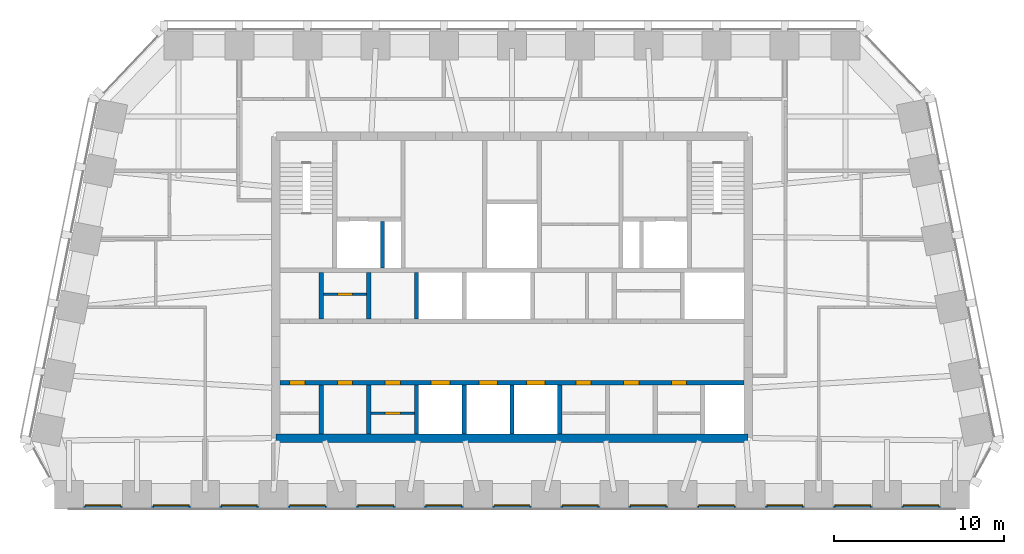
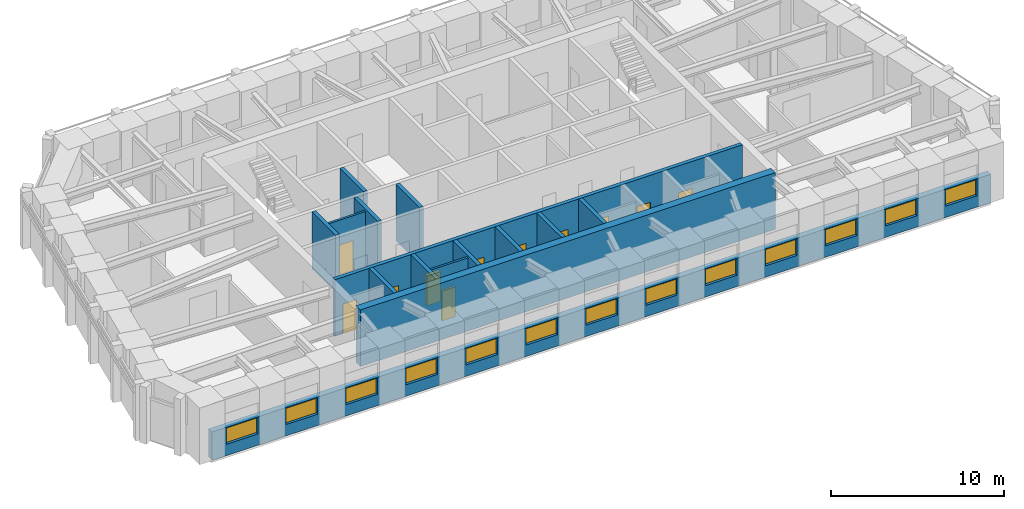
# One storey, part 4 of 8: 15 walls, 13 windows, 11 doors, 24 openings.
"""IFC4 building model written with IfcOpenShell, lengths in metres."""

from ifc_helpers import new_model, si_unit, direction, frame, frame_2d, origin, place, context, subcontext, project, spatial, rectangle, extrude, material, layer, layer_set, type_object, element, fill, save


model = new_model("IFC4")

# Units and contexts
model_context = context("Model", 3, precision=1e-05, world=origin(), true_north=direction((0.0, 1.0)))
body_context = subcontext(model_context, "Body", "Model", "MODEL_VIEW")
ifc_project = project(units=[si_unit("LENGTHUNIT", "METRE"), si_unit("AREAUNIT", "SQUARE_METRE"), si_unit("VOLUMEUNIT", "CUBIC_METRE"), si_unit("PLANEANGLEUNIT", "RADIAN"), si_unit("MASSUNIT", "GRAM", prefix="KILO")], contexts=[model_context])

# Site, building, storey
site_placement = place(None, origin())
site = spatial("IfcSite", under=ifc_project, at=site_placement, CompositionType="ELEMENT")
building_placement = place(site_placement, origin())
building = spatial("IfcBuilding", under=site, at=building_placement, Name="Isbrekke Arena Tower", CompositionType="ELEMENT")
storey_placement = place(building_placement, frame((0.0, 0.0, 320.0)))
storey = spatial("IfcBuildingStorey", under=building, at=storey_placement, Name="L75", CompositionType="ELEMENT", Elevation=320.0)

# Wall
ifc_material_1 = material(Name="Concrete B55 (C55/67)", Category="concrete")
ifc_layer_1 = layer(ifc_material_1, 0.5)
ifc_layer_set_1 = layer_set([ifc_layer_1], Name="CW5 CORE WALL 500")
wall_type_1 = type_object("IfcWallType", Name="CW5 CORE WALL 500", PredefinedType="SHEAR", material=ifc_layer_set_1)
wall_1_placement = place(storey_placement, frame((-13.85009765625, 6.14990234375, 0.0), z_axis=(0.0, 0.0, 1.0), x_axis=(1.0, 0.0, 0.0)))
element("IfcWall", 1, at=wall_1_placement, inside=storey, type_object=wall_type_1, Name="Core wall S L75", PredefinedType="SHEAR", context=body_context, shape_type="SweptSolid", body=[
    extrude(rectangle(XDim=27.7001953125, YDim=0.5, at=frame_2d((13.85009765625, 0.0))), origin(), (0.0, 0.0, 1.0), 4.0),
])

# Wall, openings, doors
ifc_material_2 = material(Name="Concrete B45 (C45/55)", Category="concrete")
ifc_layer_2 = layer(ifc_material_2, 0.25)
ifc_layer_set_2 = layer_set([ifc_layer_2], Name="CW6 SHAFT WALL 250")
wall_type_2 = type_object("IfcWallType", Name="CW6 SHAFT WALL 250", PredefinedType="SHEAR", material=ifc_layer_set_2)
wall_2_placement = place(storey_placement, frame((-13.60009765625, 9.39990234375, 0.0), z_axis=(0.0, 0.0, 1.0), x_axis=(1.0, 0.0, 0.0)))
wall_2 = element("IfcWall", 2, at=wall_2_placement, inside=storey, type_object=wall_type_2, Name="Core wall LS L75", PredefinedType="SHEAR", context=body_context, shape_type="SweptSolid", body=[
    extrude(rectangle(XDim=27.2001953125, YDim=0.25, at=frame_2d((13.60009765625, 0.0))), origin(), (0.0, 0.0, 1.0), 4.0),
])
opening_1_placement = place(wall_2_placement, frame((8.85009765625, 0.0, 0.0)))
opening_1 = element("IfcOpeningElement", 3, at=opening_1_placement, cuts=wall_2, Name="Opening LD1", PredefinedType="OPENING", context=body_context, shape_type="SweptSolid", body=[
    extrude(rectangle(XDim=1.10009765625, YDim=2.10009765625, at=frame_2d((0.550048828125, 1.050048828125))), frame((0.0, 0.139892578125, 0.0), z_axis=(0.0, -1.0, 0.0), x_axis=(1.0, 0.0, 0.0)), (0.0, 0.0, 1.0), 0.27978515625),
])
opening_2_placement = place(wall_2_placement, frame((11.64990234375, 0.0, 0.0)))
opening_2 = element("IfcOpeningElement", 4, at=opening_2_placement, cuts=wall_2, Name="Opening LD1", PredefinedType="OPENING", context=body_context, shape_type="SweptSolid", body=[
    extrude(rectangle(XDim=1.10009765625, YDim=2.10009765625, at=frame_2d((0.550048828125, 1.050048828125))), frame((0.0, 0.139892578125, 0.0), z_axis=(0.0, -1.0, 0.0), x_axis=(1.0, 0.0, 0.0)), (0.0, 0.0, 1.0), 0.27978515625),
])
opening_3_placement = place(wall_2_placement, frame((14.449951171875, 0.0, 0.0)))
opening_3 = element("IfcOpeningElement", 5, at=opening_3_placement, cuts=wall_2, Name="Opening LD1", PredefinedType="OPENING", context=body_context, shape_type="SweptSolid", body=[
    extrude(rectangle(XDim=1.10009765625, YDim=2.10009765625, at=frame_2d((0.550048828125, 1.050048828125))), frame((0.0, 0.139892578125, 0.0), z_axis=(0.0, -1.0, 0.0), x_axis=(1.0, 0.0, 0.0)), (0.0, 0.0, 1.0), 0.27978515625),
])
opening_4_placement = place(wall_2_placement, frame((0.550048828125, 0.0, 0.0)))
opening_4 = element("IfcOpeningElement", 6, at=opening_4_placement, cuts=wall_2, Name="Opening D5", PredefinedType="OPENING", context=body_context, shape_type="SweptSolid", body=[
    extrude(rectangle(XDim=0.89990234375, YDim=2.10009765625, at=frame_2d((0.449951171875, 1.050048828125))), frame((0.0, 0.139892578125, 0.0), z_axis=(0.0, -1.0, 0.0), x_axis=(1.0, 0.0, 0.0)), (0.0, 0.0, 1.0), 0.27978515625),
])
opening_5_placement = place(wall_2_placement, frame((3.35009765625, 0.0, 0.0)))
opening_5 = element("IfcOpeningElement", 7, at=opening_5_placement, cuts=wall_2, Name="Opening D5", PredefinedType="OPENING", context=body_context, shape_type="SweptSolid", body=[
    extrude(rectangle(XDim=0.89990234375, YDim=2.10009765625, at=frame_2d((0.449951171875, 1.050048828125))), frame((0.0, 0.139892578125, 0.0), z_axis=(0.0, -1.0, 0.0), x_axis=(1.0, 0.0, 0.0)), (0.0, 0.0, 1.0), 0.27978515625),
])
opening_6_placement = place(wall_2_placement, frame((6.14990234375, 0.0, 0.0)))
opening_6 = element("IfcOpeningElement", 8, at=opening_6_placement, cuts=wall_2, Name="Opening D5", PredefinedType="OPENING", context=body_context, shape_type="SweptSolid", body=[
    extrude(rectangle(XDim=0.89990234375, YDim=2.10009765625, at=frame_2d((0.449951171875, 1.050048828125))), frame((0.0, 0.139892578125, 0.0), z_axis=(0.0, -1.0, 0.0), x_axis=(1.0, 0.0, 0.0)), (0.0, 0.0, 1.0), 0.27978515625),
])
opening_7_placement = place(wall_2_placement, frame((17.35009765625, 0.0, 0.0)))
opening_7 = element("IfcOpeningElement", 9, at=opening_7_placement, cuts=wall_2, Name="Opening D5", PredefinedType="OPENING", context=body_context, shape_type="SweptSolid", body=[
    extrude(rectangle(XDim=0.89990234375, YDim=2.10009765625, at=frame_2d((0.449951171875, 1.050048828125))), frame((0.0, 0.139892578125, 0.0), z_axis=(0.0, -1.0, 0.0), x_axis=(1.0, 0.0, 0.0)), (0.0, 0.0, 1.0), 0.27978515625),
])
opening_8_placement = place(wall_2_placement, frame((20.14990234375, 0.0, 0.0)))
opening_8 = element("IfcOpeningElement", 10, at=opening_8_placement, cuts=wall_2, Name="Opening D5", PredefinedType="OPENING", context=body_context, shape_type="SweptSolid", body=[
    extrude(rectangle(XDim=0.89990234375, YDim=2.10009765625, at=frame_2d((0.449951171875, 1.050048828125))), frame((0.0, 0.139892578125, 0.0), z_axis=(0.0, -1.0, 0.0), x_axis=(1.0, 0.0, 0.0)), (0.0, 0.0, 1.0), 0.27978515625),
])
opening_9_placement = place(wall_2_placement, frame((22.949951171875, 0.0, 0.0)))
opening_9 = element("IfcOpeningElement", 11, at=opening_9_placement, cuts=wall_2, Name="Opening D5", PredefinedType="OPENING", context=body_context, shape_type="SweptSolid", body=[
    extrude(rectangle(XDim=0.89990234375, YDim=2.10009765625, at=frame_2d((0.449951171875, 1.050048828125))), frame((0.0, 0.139892578125, 0.0), z_axis=(0.0, -1.0, 0.0), x_axis=(1.0, 0.0, 0.0)), (0.0, 0.0, 1.0), 0.27978515625),
])
ifc_material_3 = material(Name="Steel fire door", Category="steel")
door_type_1 = type_object("IfcDoorType", Name="D5 SERVICE DOOR 900 x 2100", OperationType="SINGLE_SWING_LEFT", PredefinedType="DOOR", material=ifc_material_3)
door_1_placement = place(opening_4_placement, origin())
door_1 = element("IfcDoor", 12, at=door_1_placement, inside=storey, type_object=door_type_1, Name="D5 pantry door L75", OperationType="SINGLE_SWING_LEFT", OverallHeight=2.10009765625, OverallWidth=0.89990234375, PredefinedType="DOOR", context=body_context, shape_type="SweptSolid", body=[
    extrude(rectangle(XDim=0.89990234375, YDim=2.10009765625, at=frame_2d((0.449951171875, 1.050048828125))), frame((0.0, 0.124755859375, 0.0), z_axis=(0.0, -1.0, 0.0), x_axis=(1.0, 0.0, 0.0)), (0.0, 0.0, 1.0), 0.24951171875),
])
fill(opening_4, door_1)
door_2_placement = place(opening_5_placement, origin())
door_2 = element("IfcDoor", 13, at=door_2_placement, inside=storey, type_object=door_type_1, Name="D5 tenant store door L75", OperationType="SINGLE_SWING_LEFT", OverallHeight=2.10009765625, OverallWidth=0.89990234375, PredefinedType="DOOR", context=body_context, shape_type="SweptSolid", body=[
    extrude(rectangle(XDim=0.89990234375, YDim=2.10009765625, at=frame_2d((0.449951171875, 1.050048828125))), frame((0.0, 0.124755859375, 0.0), z_axis=(0.0, -1.0, 0.0), x_axis=(1.0, 0.0, 0.0)), (0.0, 0.0, 1.0), 0.24951171875),
])
fill(opening_5, door_2)
door_3_placement = place(opening_6_placement, origin())
door_3 = element("IfcDoor", 14, at=door_3_placement, inside=storey, type_object=door_type_1, Name="D5 first-aid room door L75", OperationType="SINGLE_SWING_LEFT", OverallHeight=2.10009765625, OverallWidth=0.89990234375, PredefinedType="DOOR", context=body_context, shape_type="SweptSolid", body=[
    extrude(rectangle(XDim=0.89990234375, YDim=2.10009765625, at=frame_2d((0.449951171875, 1.050048828125))), frame((0.0, 0.124755859375, 0.0), z_axis=(0.0, -1.0, 0.0), x_axis=(1.0, 0.0, 0.0)), (0.0, 0.0, 1.0), 0.24951171875),
])
fill(opening_6, door_3)
door_4_placement = place(opening_7_placement, origin())
door_4 = element("IfcDoor", 15, at=door_4_placement, inside=storey, type_object=door_type_1, Name="D5 tea point door L75", OperationType="SINGLE_SWING_LEFT", OverallHeight=2.10009765625, OverallWidth=0.89990234375, PredefinedType="DOOR", context=body_context, shape_type="SweptSolid", body=[
    extrude(rectangle(XDim=0.89990234375, YDim=2.10009765625, at=frame_2d((0.449951171875, 1.050048828125))), frame((0.0, 0.124755859375, 0.0), z_axis=(0.0, -1.0, 0.0), x_axis=(1.0, 0.0, 0.0)), (0.0, 0.0, 1.0), 0.24951171875),
])
fill(opening_7, door_4)
door_5_placement = place(opening_8_placement, origin())
door_5 = element("IfcDoor", 16, at=door_5_placement, inside=storey, type_object=door_type_1, Name="D5 print room door L75", OperationType="SINGLE_SWING_LEFT", OverallHeight=2.10009765625, OverallWidth=0.89990234375, PredefinedType="DOOR", context=body_context, shape_type="SweptSolid", body=[
    extrude(rectangle(XDim=0.89990234375, YDim=2.10009765625, at=frame_2d((0.449951171875, 1.050048828125))), frame((0.0, 0.124755859375, 0.0), z_axis=(0.0, -1.0, 0.0), x_axis=(1.0, 0.0, 0.0)), (0.0, 0.0, 1.0), 0.24951171875),
])
fill(opening_8, door_5)
door_6_placement = place(opening_9_placement, origin())
door_6 = element("IfcDoor", 17, at=door_6_placement, inside=storey, type_object=door_type_1, Name="D5 mothers' room door L75", OperationType="SINGLE_SWING_LEFT", OverallHeight=2.10009765625, OverallWidth=0.89990234375, PredefinedType="DOOR", context=body_context, shape_type="SweptSolid", body=[
    extrude(rectangle(XDim=0.89990234375, YDim=2.10009765625, at=frame_2d((0.449951171875, 1.050048828125))), frame((0.0, 0.124755859375, 0.0), z_axis=(0.0, -1.0, 0.0), x_axis=(1.0, 0.0, 0.0)), (0.0, 0.0, 1.0), 0.24951171875),
])
fill(opening_9, door_6)
ifc_material_4 = material(Name="Stainless steel lift landing door", Category="steel")
door_type_2 = type_object("IfcDoorType", Name="LD1 LIFT LANDING DOOR 1100 x 2100", OperationType="SLIDING_TO_LEFT", PredefinedType="DOOR", material=ifc_material_4)
door_7_placement = place(opening_1_placement, origin())
door_7 = element("IfcDoor", 18, at=door_7_placement, inside=storey, type_object=door_type_2, Name="LD1 lift landing door LE L75", OperationType="SLIDING_TO_LEFT", OverallHeight=2.10009765625, OverallWidth=1.10009765625, PredefinedType="DOOR", context=body_context, shape_type="SweptSolid", body=[
    extrude(rectangle(XDim=1.10009765625, YDim=2.10009765625, at=frame_2d((0.550048828125, 1.050048828125))), frame((0.0, 0.124755859375, 0.0), z_axis=(0.0, -1.0, 0.0), x_axis=(1.0, 0.0, 0.0)), (0.0, 0.0, 1.0), 0.24951171875),
])
fill(opening_1, door_7)
door_8_placement = place(opening_2_placement, origin())
door_8 = element("IfcDoor", 19, at=door_8_placement, inside=storey, type_object=door_type_2, Name="LD1 lift landing door LE L75", OperationType="SLIDING_TO_LEFT", OverallHeight=2.10009765625, OverallWidth=1.10009765625, PredefinedType="DOOR", context=body_context, shape_type="SweptSolid", body=[
    extrude(rectangle(XDim=1.10009765625, YDim=2.10009765625, at=frame_2d((0.550048828125, 1.050048828125))), frame((0.0, 0.124755859375, 0.0), z_axis=(0.0, -1.0, 0.0), x_axis=(1.0, 0.0, 0.0)), (0.0, 0.0, 1.0), 0.24951171875),
])
fill(opening_2, door_8)
door_9_placement = place(opening_3_placement, origin())
door_9 = element("IfcDoor", 20, at=door_9_placement, inside=storey, type_object=door_type_2, Name="LD1 lift landing door LE L75", OperationType="SLIDING_TO_LEFT", OverallHeight=2.10009765625, OverallWidth=1.10009765625, PredefinedType="DOOR", context=body_context, shape_type="SweptSolid", body=[
    extrude(rectangle(XDim=1.10009765625, YDim=2.10009765625, at=frame_2d((0.550048828125, 1.050048828125))), frame((0.0, 0.124755859375, 0.0), z_axis=(0.0, -1.0, 0.0), x_axis=(1.0, 0.0, 0.0)), (0.0, 0.0, 1.0), 0.24951171875),
])
fill(opening_3, door_9)

# Walls
for number, where, z_axis, x_axis, name in (
    (21, (-11.199951171875, 6.39990234375, 0.0), (0.0, 0.0, 1.0), (0.0, 1.0, 0.0), "Core wall SS01 L75"),
    (22, (-8.39990234375, 6.39990234375, 0.0), (0.0, 0.0, 1.0), (0.0, 1.0, 0.0), "Core wall SS02 L75"),
    (23, (-5.60009765625, 6.39990234375, 0.0), (0.0, 0.0, 1.0), (0.0, 1.0, 0.0), "Core wall SS03 L75"),
    (24, (-2.800048828125, 6.39990234375, 0.0), (0.0, 0.0, 1.0), (0.0, 1.0, 0.0), "Core wall SS04 L75"),
    (25, (0.0, 6.39990234375, 0.0), (0.0, 0.0, 1.0), (0.0, 1.0, 0.0), "Core wall SS05 L75"),
    (26, (2.800048828125, 6.39990234375, 0.0), (0.0, 0.0, 1.0), (0.0, 1.0, 0.0), "Core wall SS06 L75"),
):
    element("IfcWall", number, at=place(storey_placement, frame(where, z_axis=z_axis, x_axis=x_axis)), inside=storey, type_object=wall_type_2, Name=name, PredefinedType="SHEAR", context=body_context, shape_type="SweptSolid", body=[
        extrude(rectangle(XDim=2.875, YDim=0.25, at=frame_2d((1.4375, 0.0))), origin(), (0.0, 0.0, 1.0), 4.0),
    ])
for number, where, z_axis, x_axis, name in (
    (27, (-11.199951171875, 13.125, 0.0), (0.0, 0.0, 1.0), (0.0, 1.0, 0.0), "Core wall SN01 L75"),
    (28, (-8.39990234375, 13.125, 0.0), (0.0, 0.0, 1.0), (0.0, 1.0, 0.0), "Core wall SN02 L75"),
    (29, (-5.60009765625, 13.125, 0.0), (0.0, 0.0, 1.0), (0.0, 1.0, 0.0), "Core wall SN03 L75"),
    (30, (-7.60009765625, 16.125, 0.0), (0.0, 0.0, 1.0), (0.0, 1.0, 0.0), "Core wall NFS1 L75"),
):
    element("IfcWall", number, at=place(storey_placement, frame(where, z_axis=z_axis, x_axis=x_axis)), inside=storey, type_object=wall_type_2, Name=name, PredefinedType="SHEAR", context=body_context, shape_type="SweptSolid", body=[
        extrude(rectangle(XDim=2.75, YDim=0.25, at=frame_2d((1.375, 0.0))), origin(), (0.0, 0.0, 1.0), 4.0),
    ])

# Wall, openings, windows
ifc_material_5 = material(Name="Copper cladding on insulated framing", Category="metal")
ifc_layer_3 = layer(ifc_material_5, 0.39990234375)
ifc_layer_set_3 = layer_set([ifc_layer_3], Name="EW2 COPPER-CLAD WALL 400")
wall_type_3 = type_object("IfcWallType", Name="EW2 COPPER-CLAD WALL 400", PredefinedType="SOLIDWALL", material=ifc_layer_set_3)
wall_3_placement = place(storey_placement, frame((-26.0, 2.199951171875, 0.0), z_axis=(0.0, 0.0, 1.0), x_axis=(1.0, 0.0, 0.0)))
wall_3 = element("IfcWall", 31, at=wall_3_placement, inside=storey, type_object=wall_type_3, Name="EW2 terrace wall L75", PredefinedType="SOLIDWALL", context=body_context, shape_type="SweptSolid", body=[
    extrude(rectangle(XDim=52.0, YDim=0.39990234375, at=frame_2d((26.0, 0.0))), origin(), (0.0, 0.0, 1.0), 2.0),
])
opening_10_placement = place(wall_3_placement, frame((0.949951171875, 0.0, 0.800048828125)))
opening_10 = element("IfcOpeningElement", 32, at=opening_10_placement, cuts=wall_3, Name="Opening WN1", PredefinedType="OPENING", context=body_context, shape_type="SweptSolid", body=[
    extrude(rectangle(XDim=2.10009765625, YDim=1.14990234375, at=frame_2d((1.050048828125, 0.574951171875))), frame((0.0, 0.21484375, 0.0), z_axis=(0.0, -1.0, 0.0), x_axis=(1.0, 0.0, 0.0)), (0.0, 0.0, 1.0), 0.4296875),
])
opening_11_placement = place(wall_3_placement, frame((4.949951171875, 0.0, 0.800048828125)))
opening_11 = element("IfcOpeningElement", 33, at=opening_11_placement, cuts=wall_3, Name="Opening WN1", PredefinedType="OPENING", context=body_context, shape_type="SweptSolid", body=[
    extrude(rectangle(XDim=2.10009765625, YDim=1.14990234375, at=frame_2d((1.050048828125, 0.574951171875))), frame((0.0, 0.21484375, 0.0), z_axis=(0.0, -1.0, 0.0), x_axis=(1.0, 0.0, 0.0)), (0.0, 0.0, 1.0), 0.4296875),
])
opening_12_placement = place(wall_3_placement, frame((8.949951171875, 0.0, 0.800048828125)))
opening_12 = element("IfcOpeningElement", 34, at=opening_12_placement, cuts=wall_3, Name="Opening WN1", PredefinedType="OPENING", context=body_context, shape_type="SweptSolid", body=[
    extrude(rectangle(XDim=2.10009765625, YDim=1.14990234375, at=frame_2d((1.050048828125, 0.574951171875))), frame((0.0, 0.21484375, 0.0), z_axis=(0.0, -1.0, 0.0), x_axis=(1.0, 0.0, 0.0)), (0.0, 0.0, 1.0), 0.4296875),
])
opening_13_placement = place(wall_3_placement, frame((12.949951171875, 0.0, 0.800048828125)))
opening_13 = element("IfcOpeningElement", 35, at=opening_13_placement, cuts=wall_3, Name="Opening WN1", PredefinedType="OPENING", context=body_context, shape_type="SweptSolid", body=[
    extrude(rectangle(XDim=2.10009765625, YDim=1.14990234375, at=frame_2d((1.050048828125, 0.574951171875))), frame((0.0, 0.21484375, 0.0), z_axis=(0.0, -1.0, 0.0), x_axis=(1.0, 0.0, 0.0)), (0.0, 0.0, 1.0), 0.4296875),
])
opening_14_placement = place(wall_3_placement, frame((16.949951171875, 0.0, 0.800048828125)))
opening_14 = element("IfcOpeningElement", 36, at=opening_14_placement, cuts=wall_3, Name="Opening WN1", PredefinedType="OPENING", context=body_context, shape_type="SweptSolid", body=[
    extrude(rectangle(XDim=2.10009765625, YDim=1.14990234375, at=frame_2d((1.050048828125, 0.574951171875))), frame((0.0, 0.21484375, 0.0), z_axis=(0.0, -1.0, 0.0), x_axis=(1.0, 0.0, 0.0)), (0.0, 0.0, 1.0), 0.4296875),
])
opening_15_placement = place(wall_3_placement, frame((20.949951171875, 0.0, 0.800048828125)))
opening_15 = element("IfcOpeningElement", 37, at=opening_15_placement, cuts=wall_3, Name="Opening WN1", PredefinedType="OPENING", context=body_context, shape_type="SweptSolid", body=[
    extrude(rectangle(XDim=2.10009765625, YDim=1.14990234375, at=frame_2d((1.050048828125, 0.574951171875))), frame((0.0, 0.21484375, 0.0), z_axis=(0.0, -1.0, 0.0), x_axis=(1.0, 0.0, 0.0)), (0.0, 0.0, 1.0), 0.4296875),
])
opening_16_placement = place(wall_3_placement, frame((24.949951171875, 0.0, 0.800048828125)))
opening_16 = element("IfcOpeningElement", 38, at=opening_16_placement, cuts=wall_3, Name="Opening WN1", PredefinedType="OPENING", context=body_context, shape_type="SweptSolid", body=[
    extrude(rectangle(XDim=2.10009765625, YDim=1.14990234375, at=frame_2d((1.050048828125, 0.574951171875))), frame((0.0, 0.21484375, 0.0), z_axis=(0.0, -1.0, 0.0), x_axis=(1.0, 0.0, 0.0)), (0.0, 0.0, 1.0), 0.4296875),
])
opening_17_placement = place(wall_3_placement, frame((28.949951171875, 0.0, 0.800048828125)))
opening_17 = element("IfcOpeningElement", 39, at=opening_17_placement, cuts=wall_3, Name="Opening WN1", PredefinedType="OPENING", context=body_context, shape_type="SweptSolid", body=[
    extrude(rectangle(XDim=2.10009765625, YDim=1.14990234375, at=frame_2d((1.050048828125, 0.574951171875))), frame((0.0, 0.21484375, 0.0), z_axis=(0.0, -1.0, 0.0), x_axis=(1.0, 0.0, 0.0)), (0.0, 0.0, 1.0), 0.4296875),
])
opening_18_placement = place(wall_3_placement, frame((32.949951171875, 0.0, 0.800048828125)))
opening_18 = element("IfcOpeningElement", 40, at=opening_18_placement, cuts=wall_3, Name="Opening WN1", PredefinedType="OPENING", context=body_context, shape_type="SweptSolid", body=[
    extrude(rectangle(XDim=2.10009765625, YDim=1.14990234375, at=frame_2d((1.050048828125, 0.574951171875))), frame((0.0, 0.21484375, 0.0), z_axis=(0.0, -1.0, 0.0), x_axis=(1.0, 0.0, 0.0)), (0.0, 0.0, 1.0), 0.4296875),
])
opening_19_placement = place(wall_3_placement, frame((36.949951171875, 0.0, 0.800048828125)))
opening_19 = element("IfcOpeningElement", 41, at=opening_19_placement, cuts=wall_3, Name="Opening WN1", PredefinedType="OPENING", context=body_context, shape_type="SweptSolid", body=[
    extrude(rectangle(XDim=2.10009765625, YDim=1.14990234375, at=frame_2d((1.050048828125, 0.574951171875))), frame((0.0, 0.21484375, 0.0), z_axis=(0.0, -1.0, 0.0), x_axis=(1.0, 0.0, 0.0)), (0.0, 0.0, 1.0), 0.4296875),
])
opening_20_placement = place(wall_3_placement, frame((40.949951171875, 0.0, 0.800048828125)))
opening_20 = element("IfcOpeningElement", 42, at=opening_20_placement, cuts=wall_3, Name="Opening WN1", PredefinedType="OPENING", context=body_context, shape_type="SweptSolid", body=[
    extrude(rectangle(XDim=2.10009765625, YDim=1.14990234375, at=frame_2d((1.050048828125, 0.574951171875))), frame((0.0, 0.21484375, 0.0), z_axis=(0.0, -1.0, 0.0), x_axis=(1.0, 0.0, 0.0)), (0.0, 0.0, 1.0), 0.4296875),
])
opening_21_placement = place(wall_3_placement, frame((44.949951171875, 0.0, 0.800048828125)))
opening_21 = element("IfcOpeningElement", 43, at=opening_21_placement, cuts=wall_3, Name="Opening WN1", PredefinedType="OPENING", context=body_context, shape_type="SweptSolid", body=[
    extrude(rectangle(XDim=2.10009765625, YDim=1.14990234375, at=frame_2d((1.050048828125, 0.574951171875))), frame((0.0, 0.21484375, 0.0), z_axis=(0.0, -1.0, 0.0), x_axis=(1.0, 0.0, 0.0)), (0.0, 0.0, 1.0), 0.4296875),
])
opening_22_placement = place(wall_3_placement, frame((48.949951171875, 0.0, 0.800048828125)))
opening_22 = element("IfcOpeningElement", 44, at=opening_22_placement, cuts=wall_3, Name="Opening WN1", PredefinedType="OPENING", context=body_context, shape_type="SweptSolid", body=[
    extrude(rectangle(XDim=2.10009765625, YDim=1.14990234375, at=frame_2d((1.050048828125, 0.574951171875))), frame((0.0, 0.21484375, 0.0), z_axis=(0.0, -1.0, 0.0), x_axis=(1.0, 0.0, 0.0)), (0.0, 0.0, 1.0), 0.4296875),
])
ifc_material_6 = material(Name="Timber-aluminium window, triple glazed", Category="wood")
window_type = type_object("IfcWindowType", Name="WN1 TERRACE WINDOW 2100 x 1150", PartitioningType="SINGLE_PANEL", PredefinedType="WINDOW", material=ifc_material_6)
window_1_placement = place(opening_10_placement, origin())
window_1 = element("IfcWindow", 45, at=window_1_placement, inside=storey, type_object=window_type, Name="WN1 terrace window L75-1", OverallHeight=1.14990234375, OverallWidth=2.10009765625, PartitioningType="SINGLE_PANEL", PredefinedType="WINDOW", context=body_context, shape_type="SweptSolid", body=[
    extrude(rectangle(XDim=2.10009765625, YDim=1.14990234375, at=frame_2d((1.050048828125, 0.574951171875))), frame((0.0, 0.030029296875, 0.0), z_axis=(0.0, -1.0, 0.0), x_axis=(1.0, 0.0, 0.0)), (0.0, 0.0, 1.0), 0.06005859375),
])
fill(opening_10, window_1)
window_2_placement = place(opening_11_placement, origin())
window_2 = element("IfcWindow", 46, at=window_2_placement, inside=storey, type_object=window_type, Name="WN1 terrace window L75-2", OverallHeight=1.14990234375, OverallWidth=2.10009765625, PartitioningType="SINGLE_PANEL", PredefinedType="WINDOW", context=body_context, shape_type="SweptSolid", body=[
    extrude(rectangle(XDim=2.10009765625, YDim=1.14990234375, at=frame_2d((1.050048828125, 0.574951171875))), frame((0.0, 0.030029296875, 0.0), z_axis=(0.0, -1.0, 0.0), x_axis=(1.0, 0.0, 0.0)), (0.0, 0.0, 1.0), 0.06005859375),
])
fill(opening_11, window_2)
window_3_placement = place(opening_12_placement, origin())
window_3 = element("IfcWindow", 47, at=window_3_placement, inside=storey, type_object=window_type, Name="WN1 terrace window L75-3", OverallHeight=1.14990234375, OverallWidth=2.10009765625, PartitioningType="SINGLE_PANEL", PredefinedType="WINDOW", context=body_context, shape_type="SweptSolid", body=[
    extrude(rectangle(XDim=2.10009765625, YDim=1.14990234375, at=frame_2d((1.050048828125, 0.574951171875))), frame((0.0, 0.030029296875, 0.0), z_axis=(0.0, -1.0, 0.0), x_axis=(1.0, 0.0, 0.0)), (0.0, 0.0, 1.0), 0.06005859375),
])
fill(opening_12, window_3)
window_4_placement = place(opening_13_placement, origin())
window_4 = element("IfcWindow", 48, at=window_4_placement, inside=storey, type_object=window_type, Name="WN1 terrace window L75-4", OverallHeight=1.14990234375, OverallWidth=2.10009765625, PartitioningType="SINGLE_PANEL", PredefinedType="WINDOW", context=body_context, shape_type="SweptSolid", body=[
    extrude(rectangle(XDim=2.10009765625, YDim=1.14990234375, at=frame_2d((1.050048828125, 0.574951171875))), frame((0.0, 0.030029296875, 0.0), z_axis=(0.0, -1.0, 0.0), x_axis=(1.0, 0.0, 0.0)), (0.0, 0.0, 1.0), 0.06005859375),
])
fill(opening_13, window_4)
window_5_placement = place(opening_14_placement, origin())
window_5 = element("IfcWindow", 49, at=window_5_placement, inside=storey, type_object=window_type, Name="WN1 terrace window L75-5", OverallHeight=1.14990234375, OverallWidth=2.10009765625, PartitioningType="SINGLE_PANEL", PredefinedType="WINDOW", context=body_context, shape_type="SweptSolid", body=[
    extrude(rectangle(XDim=2.10009765625, YDim=1.14990234375, at=frame_2d((1.050048828125, 0.574951171875))), frame((0.0, 0.030029296875, 0.0), z_axis=(0.0, -1.0, 0.0), x_axis=(1.0, 0.0, 0.0)), (0.0, 0.0, 1.0), 0.06005859375),
])
fill(opening_14, window_5)
window_6_placement = place(opening_15_placement, origin())
window_6 = element("IfcWindow", 50, at=window_6_placement, inside=storey, type_object=window_type, Name="WN1 terrace window L75-6", OverallHeight=1.14990234375, OverallWidth=2.10009765625, PartitioningType="SINGLE_PANEL", PredefinedType="WINDOW", context=body_context, shape_type="SweptSolid", body=[
    extrude(rectangle(XDim=2.10009765625, YDim=1.14990234375, at=frame_2d((1.050048828125, 0.574951171875))), frame((0.0, 0.030029296875, 0.0), z_axis=(0.0, -1.0, 0.0), x_axis=(1.0, 0.0, 0.0)), (0.0, 0.0, 1.0), 0.06005859375),
])
fill(opening_15, window_6)
window_7_placement = place(opening_16_placement, origin())
window_7 = element("IfcWindow", 51, at=window_7_placement, inside=storey, type_object=window_type, Name="WN1 terrace window L75-7", OverallHeight=1.14990234375, OverallWidth=2.10009765625, PartitioningType="SINGLE_PANEL", PredefinedType="WINDOW", context=body_context, shape_type="SweptSolid", body=[
    extrude(rectangle(XDim=2.10009765625, YDim=1.14990234375, at=frame_2d((1.050048828125, 0.574951171875))), frame((0.0, 0.030029296875, 0.0), z_axis=(0.0, -1.0, 0.0), x_axis=(1.0, 0.0, 0.0)), (0.0, 0.0, 1.0), 0.06005859375),
])
fill(opening_16, window_7)
window_8_placement = place(opening_17_placement, origin())
window_8 = element("IfcWindow", 52, at=window_8_placement, inside=storey, type_object=window_type, Name="WN1 terrace window L75-8", OverallHeight=1.14990234375, OverallWidth=2.10009765625, PartitioningType="SINGLE_PANEL", PredefinedType="WINDOW", context=body_context, shape_type="SweptSolid", body=[
    extrude(rectangle(XDim=2.10009765625, YDim=1.14990234375, at=frame_2d((1.050048828125, 0.574951171875))), frame((0.0, 0.030029296875, 0.0), z_axis=(0.0, -1.0, 0.0), x_axis=(1.0, 0.0, 0.0)), (0.0, 0.0, 1.0), 0.06005859375),
])
fill(opening_17, window_8)
window_9_placement = place(opening_18_placement, origin())
window_9 = element("IfcWindow", 53, at=window_9_placement, inside=storey, type_object=window_type, Name="WN1 terrace window L75-9", OverallHeight=1.14990234375, OverallWidth=2.10009765625, PartitioningType="SINGLE_PANEL", PredefinedType="WINDOW", context=body_context, shape_type="SweptSolid", body=[
    extrude(rectangle(XDim=2.10009765625, YDim=1.14990234375, at=frame_2d((1.050048828125, 0.574951171875))), frame((0.0, 0.030029296875, 0.0), z_axis=(0.0, -1.0, 0.0), x_axis=(1.0, 0.0, 0.0)), (0.0, 0.0, 1.0), 0.06005859375),
])
fill(opening_18, window_9)
window_10_placement = place(opening_19_placement, origin())
window_10 = element("IfcWindow", 54, at=window_10_placement, inside=storey, type_object=window_type, Name="WN1 terrace window L75-10", OverallHeight=1.14990234375, OverallWidth=2.10009765625, PartitioningType="SINGLE_PANEL", PredefinedType="WINDOW", context=body_context, shape_type="SweptSolid", body=[
    extrude(rectangle(XDim=2.10009765625, YDim=1.14990234375, at=frame_2d((1.050048828125, 0.574951171875))), frame((0.0, 0.030029296875, 0.0), z_axis=(0.0, -1.0, 0.0), x_axis=(1.0, 0.0, 0.0)), (0.0, 0.0, 1.0), 0.06005859375),
])
fill(opening_19, window_10)
window_11_placement = place(opening_20_placement, origin())
window_11 = element("IfcWindow", 55, at=window_11_placement, inside=storey, type_object=window_type, Name="WN1 terrace window L75-11", OverallHeight=1.14990234375, OverallWidth=2.10009765625, PartitioningType="SINGLE_PANEL", PredefinedType="WINDOW", context=body_context, shape_type="SweptSolid", body=[
    extrude(rectangle(XDim=2.10009765625, YDim=1.14990234375, at=frame_2d((1.050048828125, 0.574951171875))), frame((0.0, 0.030029296875, 0.0), z_axis=(0.0, -1.0, 0.0), x_axis=(1.0, 0.0, 0.0)), (0.0, 0.0, 1.0), 0.06005859375),
])
fill(opening_20, window_11)
window_12_placement = place(opening_21_placement, origin())
window_12 = element("IfcWindow", 56, at=window_12_placement, inside=storey, type_object=window_type, Name="WN1 terrace window L75-12", OverallHeight=1.14990234375, OverallWidth=2.10009765625, PartitioningType="SINGLE_PANEL", PredefinedType="WINDOW", context=body_context, shape_type="SweptSolid", body=[
    extrude(rectangle(XDim=2.10009765625, YDim=1.14990234375, at=frame_2d((1.050048828125, 0.574951171875))), frame((0.0, 0.030029296875, 0.0), z_axis=(0.0, -1.0, 0.0), x_axis=(1.0, 0.0, 0.0)), (0.0, 0.0, 1.0), 0.06005859375),
])
fill(opening_21, window_12)
window_13_placement = place(opening_22_placement, origin())
window_13 = element("IfcWindow", 57, at=window_13_placement, inside=storey, type_object=window_type, Name="WN1 terrace window L75-13", OverallHeight=1.14990234375, OverallWidth=2.10009765625, PartitioningType="SINGLE_PANEL", PredefinedType="WINDOW", context=body_context, shape_type="SweptSolid", body=[
    extrude(rectangle(XDim=2.10009765625, YDim=1.14990234375, at=frame_2d((1.050048828125, 0.574951171875))), frame((0.0, 0.030029296875, 0.0), z_axis=(0.0, -1.0, 0.0), x_axis=(1.0, 0.0, 0.0)), (0.0, 0.0, 1.0), 0.06005859375),
])
fill(opening_22, window_13)

# Wall, opening, door
ifc_material_7 = material(Name="Gypsum board fire-rated partition on steel studs, two layers each side", Category="steel")
ifc_layer_4 = layer(ifc_material_7, 0.14990234375)
ifc_layer_set_4 = layer_set([ifc_layer_4], Name="IW5 FIRE-RATED PARTITION 150")
wall_type_4 = type_object("IfcWallType", Name="IW5 FIRE-RATED PARTITION 150", PredefinedType="PARTITIONING", material=ifc_layer_set_4)
wall_4_placement = place(storey_placement, frame((-11.074951171875, 14.60009765625, 0.0), z_axis=(0.0, 0.0, 1.0), x_axis=(1.0, 0.0, 0.0)))
wall_4 = element("IfcWall", 58, at=wall_4_placement, inside=storey, type_object=wall_type_4, Name="IW5 fire-rated partition L75 core service rooms 3", PredefinedType="PARTITIONING", context=body_context, shape_type="SweptSolid", body=[
    extrude(rectangle(XDim=2.550048828125, YDim=0.14990234375, at=frame_2d((1.27490234375, 0.0))), origin(), (0.0, 0.0, 1.0), 3.85009765625),
])
opening_23_placement = place(wall_4_placement, frame((0.824951171875, 0.0, 0.0)))
opening_23 = element("IfcOpeningElement", 59, at=opening_23_placement, cuts=wall_4, Name="Opening D5", PredefinedType="OPENING", context=body_context, shape_type="SweptSolid", body=[
    extrude(rectangle(XDim=0.89990234375, YDim=2.10009765625, at=frame_2d((0.449951171875, 1.050048828125))), frame((0.0, 0.08984375, 0.0), z_axis=(0.0, -1.0, 0.0), x_axis=(1.0, 0.0, 0.0)), (0.0, 0.0, 1.0), 0.1796875),
])
door_10_placement = place(opening_23_placement, origin())
door_10 = element("IfcDoor", 60, at=door_10_placement, inside=storey, type_object=door_type_1, Name="D5 store door L75", OperationType="SINGLE_SWING_LEFT", OverallHeight=2.10009765625, OverallWidth=0.89990234375, PredefinedType="DOOR", context=body_context, shape_type="SweptSolid", body=[
    extrude(rectangle(XDim=0.89990234375, YDim=2.10009765625, at=frame_2d((0.449951171875, 1.050048828125))), frame((0.0, 0.07470703125, 0.0), z_axis=(0.0, -1.0, 0.0), x_axis=(1.0, 0.0, 0.0)), (0.0, 0.0, 1.0), 0.1494140625),
])
fill(opening_23, door_10)

wall_5_placement = place(storey_placement, frame((-8.27490234375, 7.60009765625, 0.0), z_axis=(0.0, 0.0, 1.0), x_axis=(1.0, 0.0, 0.0)))
wall_5 = element("IfcWall", 61, at=wall_5_placement, inside=storey, type_object=wall_type_4, Name="IW5 fire-rated partition L75 core service rooms 5", PredefinedType="PARTITIONING", context=body_context, shape_type="SweptSolid", body=[
    extrude(rectangle(XDim=2.5498046875, YDim=0.14990234375, at=frame_2d((1.27490234375, 0.0))), origin(), (0.0, 0.0, 1.0), 3.85009765625),
])
opening_24_placement = place(wall_5_placement, frame((0.824951171875, 0.0, 0.0)))
opening_24 = element("IfcOpeningElement", 62, at=opening_24_placement, cuts=wall_5, Name="Opening D5", PredefinedType="OPENING", context=body_context, shape_type="SweptSolid", body=[
    extrude(rectangle(XDim=0.89990234375, YDim=2.10009765625, at=frame_2d((0.449951171875, 1.050048828125))), frame((0.0, 0.08984375, 0.0), z_axis=(0.0, -1.0, 0.0), x_axis=(1.0, 0.0, 0.0)), (0.0, 0.0, 1.0), 0.1796875),
])
door_11_placement = place(opening_24_placement, origin())
door_11 = element("IfcDoor", 63, at=door_11_placement, inside=storey, type_object=door_type_1, Name="D5 tenant store door L75", OperationType="SINGLE_SWING_LEFT", OverallHeight=2.10009765625, OverallWidth=0.89990234375, PredefinedType="DOOR", context=body_context, shape_type="SweptSolid", body=[
    extrude(rectangle(XDim=0.89990234375, YDim=2.10009765625, at=frame_2d((0.449951171875, 1.050048828125))), frame((0.0, 0.07470703125, 0.0), z_axis=(0.0, -1.0, 0.0), x_axis=(1.0, 0.0, 0.0)), (0.0, 0.0, 1.0), 0.1494140625),
])
fill(opening_24, door_11)

save(model, "model.ifc")
